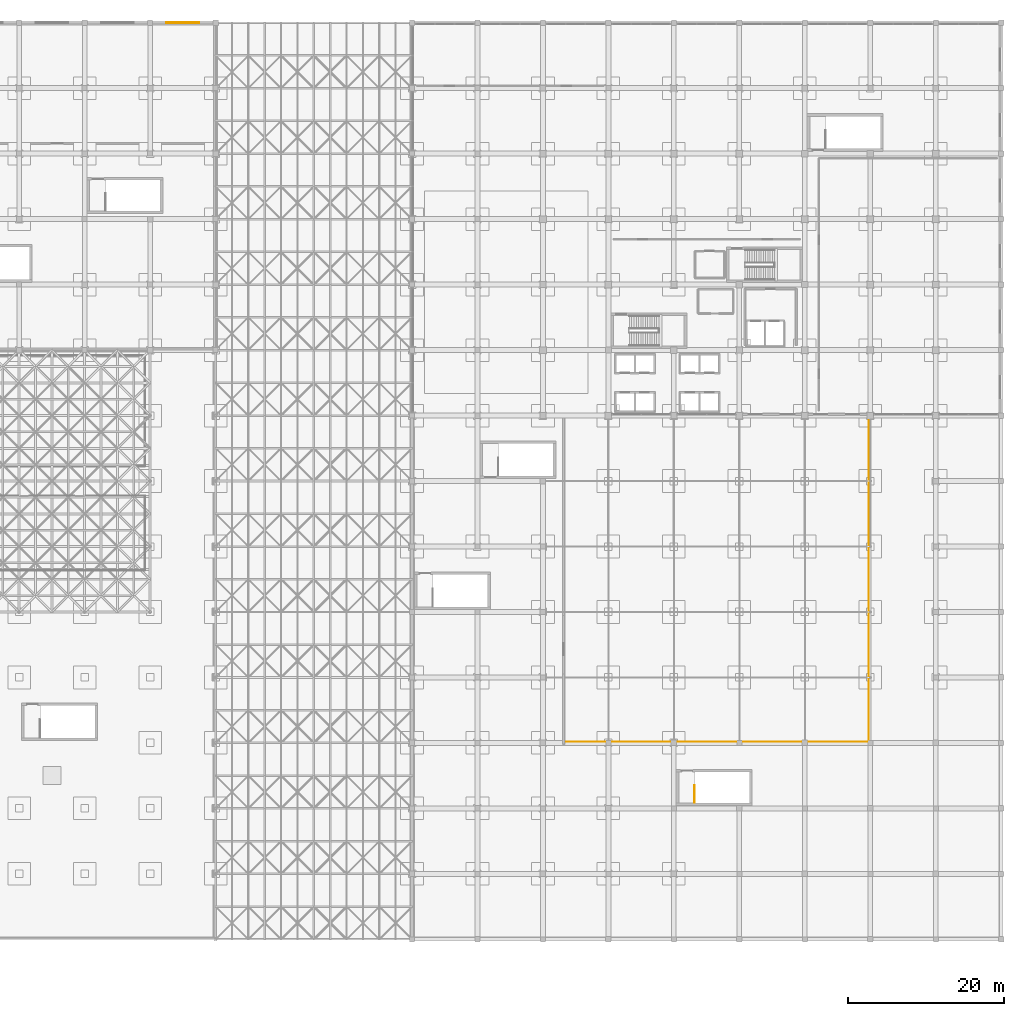
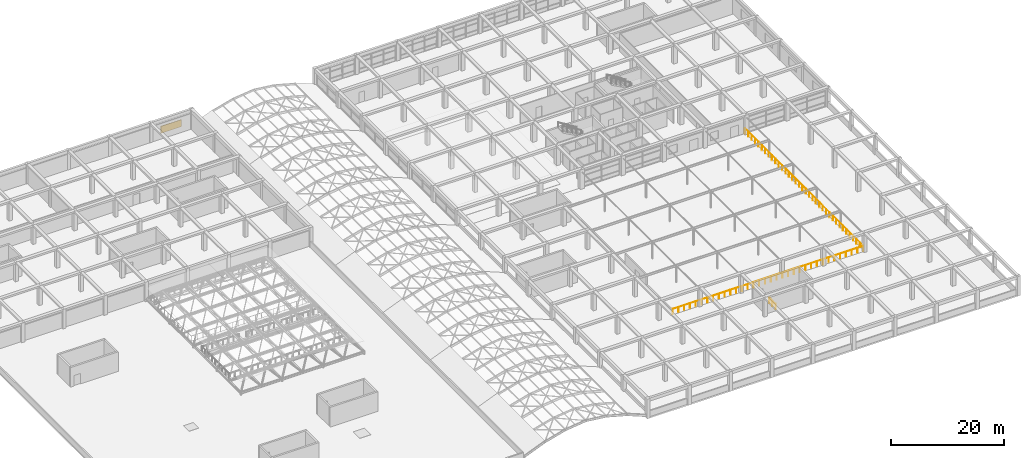
# One storey, part 84 of 85: 2 railings, 1 shading device.
"""IFC4 building model written with IfcOpenShell, lengths in metres."""

import ifcopenshell
import ifcopenshell.guid

model = None  # the IFC model being written
_history = None  # IfcOwnerHistory: only IFC2X3 demands one
_inside = {}  # id of a spatial element -> (the spatial element, [elements in it])
_under = {}  # id of a project, library or spatial element -> (it, [spatial elements below it])
_declared = {}  # id of a project -> (the project, [libraries it declares])
_typed = {}  # id of a type object -> (the type object, [elements of that type])
_made_of = {}  # id of a material, layer set ... -> (it, [elements and type objects made of it])


def new_model(schema):
    """Start an empty IFC model of exactly this schema.

    Asked for "IFC4X3", IfcOpenShell would pick the latest addendum, in which some entities
    have other attributes; the version numbers below select the first issue.
    IFC2X3 requires an IfcOwnerHistory on every rooted entity: one is made here for all.
    """
    global model, _history
    if schema == "IFC4X3":
        model = ifcopenshell.file(schema_version=(4, 3, 0, 0))
    else:
        model = ifcopenshell.file(schema=schema)
    _inside.clear()
    _under.clear()
    _declared.clear()
    _typed.clear()
    _made_of.clear()
    _history = None
    if model.schema == "IFC2X3":
        org = make("IfcOrganization", Name="unknown")
        user = make(
            "IfcPersonAndOrganization",
            ThePerson=make("IfcPerson", FamilyName="unknown"),
            TheOrganization=org,
        )
        app = make(
            "IfcApplication",
            ApplicationDeveloper=org,
            Version="unknown",
            ApplicationFullName="unknown",
            ApplicationIdentifier="unknown",
        )
        _history = make(
            "IfcOwnerHistory",
            OwningUser=user,
            OwningApplication=app,
            ChangeAction="ADDED",
            CreationDate=0,
        )
    return model


def make(cls, **values):
    """One entity of the class cls with the attributes given. An attribute that is None is left unset."""
    return model.create_entity(
        cls, **{name: value for name, value in values.items() if value is not None}
    )


def rooted(cls, **values):
    """An entity with a GlobalId (a new one), such as an element, a storey or a relation."""
    return make(cls, GlobalId=ifcopenshell.guid.new(), OwnerHistory=_history, **values)


def si_unit(unit_type, name, prefix=None):
    """IfcSIUnit, for example si_unit("LENGTHUNIT", "METRE", prefix="MILLI")."""
    return make("IfcSIUnit", UnitType=unit_type, Prefix=prefix, Name=name)


def assignment(units):
    """IfcUnitAssignment: the units of a project."""
    return None if units is None else make("IfcUnitAssignment", Units=units)


def point(xyz):
    """IfcCartesianPoint."""
    return None if xyz is None else make("IfcCartesianPoint", Coordinates=xyz)


def direction(xyz):
    """IfcDirection."""
    return None if xyz is None else make("IfcDirection", DirectionRatios=xyz)


def frame(location, z_axis=None, x_axis=None):
    """IfcAxis2Placement3D, a coordinate frame: its origin and axes. An axis left out is left unset."""
    return make(
        "IfcAxis2Placement3D",
        Location=point(location),
        Axis=direction(z_axis),
        RefDirection=direction(x_axis),
    )


def frame_2d(location, x_axis=None):
    """IfcAxis2Placement2D, a coordinate frame in the plane: its origin and x axis."""
    return make(
        "IfcAxis2Placement2D", Location=point(location), RefDirection=direction(x_axis)
    )


def origin():
    """The frame at (0, 0, 0) with its axes left unset."""
    return frame((0.0, 0.0, 0.0))


def origin_2d():
    """The frame at (0, 0) in the plane with its x axis left unset."""
    return frame_2d((0.0, 0.0))


def place(relative_to, where):
    """IfcLocalPlacement: puts the frame where relative to a parent placement (None: the world)."""
    return make(
        "IfcLocalPlacement", PlacementRelTo=relative_to, RelativePlacement=where
    )


def context(
    kind, dimensions, precision=None, world=None, true_north=None, identifier=None
):
    """IfcGeometricRepresentationContext, for example the 3D "Model" context."""
    return make(
        "IfcGeometricRepresentationContext",
        ContextIdentifier=identifier,
        ContextType=kind,
        CoordinateSpaceDimension=dimensions,
        Precision=precision,
        WorldCoordinateSystem=world,
        TrueNorth=true_north,
    )


def subcontext(parent, identifier, kind, view, scale=None):
    """IfcGeometricRepresentationSubContext, for example "Body" below "Model"."""
    return make(
        "IfcGeometricRepresentationSubContext",
        ContextIdentifier=identifier,
        ContextType=kind,
        ParentContext=parent,
        TargetScale=scale,
        TargetView=view,
    )


def project(units=None, contexts=None):
    """IfcProject with its units and contexts."""
    return rooted(
        "IfcProject",
        Name="project",
        RepresentationContexts=contexts,
        UnitsInContext=assignment(units),
    )


def spatial(cls, under=None, at=None, **own):
    """A site, building, storey or space (cls), placed at a placement, below another one or the project."""
    s = rooted(cls, ObjectPlacement=at, **own)
    if under is not None:
        _under.setdefault(under.id(), (under, []))[1].append(s)
    return s


def profile(cls, at=None, kind="AREA", **sizes):
    """A parametric profile (cls). Its sizes go by their IFC names, for example OverallWidth=200.0."""
    return make(cls, ProfileType=kind, Position=at, **sizes)


def rectangle(**sizes):
    """IfcRectangleProfileDef."""
    return profile("IfcRectangleProfileDef", **sizes)


def circle(**sizes):
    """IfcCircleProfileDef."""
    return profile("IfcCircleProfileDef", **sizes)


def extrude(swept, where, along, depth):
    """IfcExtrudedAreaSolid: the profile swept, set in the frame where, extruded along a direction by depth."""
    return make(
        "IfcExtrudedAreaSolid",
        SweptArea=swept,
        Position=where,
        ExtrudedDirection=direction(along),
        Depth=depth,
    )


def shape(context_of_items, identifier, shape_type, items):
    """IfcShapeRepresentation: the items that make up one representation, for example the "Body"."""
    return make(
        "IfcShapeRepresentation",
        ContextOfItems=context_of_items,
        RepresentationIdentifier=identifier,
        RepresentationType=shape_type,
        Items=items,
    )


def material(Name=None, Category=None):
    """IfcMaterial."""
    return make("IfcMaterial", Name=Name, Category=Category)


def layer(
    of_material, thickness, ventilated=None, Name=None, Category=None, Priority=None
):
    """IfcMaterialLayer: one layer of a wall or slab, of a material (None: an air gap)."""
    return make(
        "IfcMaterialLayer",
        Material=of_material,
        LayerThickness=thickness,
        IsVentilated=ventilated,
        Name=Name,
        Category=Category,
        Priority=Priority,
    )


def layer_set(layers, Name=None):
    """IfcMaterialLayerSet."""
    return make("IfcMaterialLayerSet", MaterialLayers=layers, LayerSetName=Name)


def made_of(thing, what):
    """Note that an element or type object is made of a material, layer set ...; save() writes the relation."""
    if what is not None:
        _made_of.setdefault(what.id(), (what, []))[1].append(thing)
    return thing


def type_object(cls, material=None, **own):
    """A type object (cls), such as IfcWallType, which elements share."""
    return made_of(rooted(cls, **own), material)


def element(
    cls,
    number,
    at=None,
    inside=None,
    cuts=None,
    type_object=None,
    material=None,
    context=None,
    identifier="Body",
    shape_type=None,
    held_by="IfcProductDefinitionShape",
    body=None,
    shapes=None,
    **own,
):
    """One element of the class cls, such as IfcWall. Its Tag is "e" and its number.

    at: its placement. inside: the storey or other place that contains it. cuts: it is an
    opening in that element (IfcRelVoidsElement). A single representation is given by context,
    identifier, shape_type and body (its items); several are given by shapes. held_by: the class
    of the entity that holds the representations. save() writes the other relations.
    """
    e = rooted(cls, Tag="e%d" % number, ObjectPlacement=at, **own)
    if body is not None:
        shapes = [shape(context, identifier, shape_type, body)]
    if shapes is not None:
        e.Representation = make(held_by, Representations=shapes)
    if inside is not None:
        _inside.setdefault(inside.id(), (inside, []))[1].append(e)
    if cuts is not None:
        rooted(
            "IfcRelVoidsElement", RelatingBuildingElement=cuts, RelatedOpeningElement=e
        )
    if type_object is not None:
        _typed.setdefault(type_object.id(), (type_object, []))[1].append(e)
    return made_of(e, material)


def aggregate(whole, parts):
    """IfcRelAggregates: a whole, such as a stair, and the parts it consists of."""
    return rooted("IfcRelAggregates", RelatingObject=whole, RelatedObjects=parts)


def save(model, path):
    """Write the relations noted so far, then the file.

    IfcRelAggregates (storeys below a building ...), IfcRelContainedInSpatialStructure (elements
    in a storey), IfcRelDefinesByType, IfcRelAssociatesMaterial and IfcRelDeclares: one each for
    every whole, place, type object, material and project.
    """
    for whole, parts in _under.values():
        aggregate(whole, parts)
    for where, things in _inside.values():
        rooted(
            "IfcRelContainedInSpatialStructure",
            RelatedElements=things,
            RelatingStructure=where,
        )
    for kind, things in _typed.values():
        rooted("IfcRelDefinesByType", RelatedObjects=things, RelatingType=kind)
    for what, things in _made_of.values():
        rooted("IfcRelAssociatesMaterial", RelatedObjects=things, RelatingMaterial=what)
    for by, libraries in _declared.values():
        rooted("IfcRelDeclares", RelatingContext=by, RelatedDefinitions=libraries)
    model.write(path)


model = new_model("IFC4")

# Units and contexts
model_context = context("Model", 3, precision=1e-05, world=origin(), true_north=direction((0.0, 1.0)))
body_context = subcontext(model_context, "Body", "Model", "MODEL_VIEW")
ifc_project = project(units=[si_unit("LENGTHUNIT", "METRE"), si_unit("AREAUNIT", "SQUARE_METRE"), si_unit("VOLUMEUNIT", "CUBIC_METRE"), si_unit("PLANEANGLEUNIT", "RADIAN"), si_unit("MASSUNIT", "GRAM", prefix="KILO")], contexts=[model_context])

# Site, building, storey
site_placement = place(None, origin())
site = spatial("IfcSite", under=ifc_project, at=site_placement, CompositionType="ELEMENT")
building_placement = place(site_placement, origin())
building = spatial("IfcBuilding", under=site, at=building_placement, Name="Almacenes y Pasaje Nevantli", CompositionType="ELEMENT")
storey_placement = place(building_placement, frame((0.0, 0.0, 22.199951171875)))
storey = spatial("IfcBuildingStorey", under=building, at=storey_placement, Name="L05", CompositionType="ELEMENT", Elevation=22.199951171875)

# Railings
ifc_material_1 = material(Name="Brushed Stainless Steel and Tempered Safety Glass", Category="steel")
railing_type_1 = type_object("IfcRailingType", Name="RL-GUARD-1100", PredefinedType="BALUSTRADE", material=ifc_material_1)
railing_1_placement = place(storey_placement, frame((128.659912109375, 17.5400390625, 0.0)))
element("IfcRailing", 1, at=railing_1_placement, inside=storey, type_object=railing_type_1, Name="L05 Stair ST-06 Top Floor Well Guard", PredefinedType="BALUSTRADE", context=body_context, shape_type="SweptSolid", body=[
    extrude(circle(Radius=0.02392578125, at=origin_2d()), frame((0.0, 0.030029296875, 1.1259765625), z_axis=(0.0, 1.0, 0.0), x_axis=(-1.0, 0.0, 0.0)), (0.0, 0.0, 1.0), 2.139892578125),
    extrude(circle(Radius=0.02099609375, at=origin_2d()), origin(), (0.0, 0.0, 1.0), 1.096923828125),
    extrude(circle(Radius=0.02099609375, at=origin_2d()), frame((0.0, 1.10009765625, 0.0)), (0.0, 0.0, 1.0), 1.096923828125),
    extrude(circle(Radius=0.02099609375, at=origin_2d()), frame((0.0, 2.199951171875, 0.0)), (0.0, 0.0, 1.0), 1.096923828125),
])
ifc_material_2 = material(Name="Tempered Safety Glass and Stainless Steel", Category="steel")
railing_type_2 = type_object("IfcRailingType", Name="RL-TERRACE-1100", PredefinedType="BALUSTRADE", material=ifc_material_2)
railing_2_placement = place(storey_placement, frame((151.050048828125, 67.14990234375, 0.0)))
element("IfcRailing", 2, at=railing_2_placement, inside=storey, type_object=railing_type_2, Name="L05 Ziggurat Roof Terrace Perimeter Guard Balustrade", PredefinedType="BALUSTRADE", context=body_context, shape_type="SweptSolid", body=[
    extrude(circle(Radius=0.02392578125, at=origin_2d()), frame((0.0, -0.030029296875, 1.1259765625), z_axis=(0.0, -1.0, 0.0), x_axis=(1.0, 0.0, 0.0)), (0.0, 0.0, 1.0), 41.73974609375),
    extrude(circle(Radius=0.02392578125, at=origin_2d()), frame((-0.030029296875, -41.7998046875, 1.1259765625), z_axis=(-1.0, 0.0, 0.0), x_axis=(0.0, -1.0, 0.0)), (0.0, 0.0, 1.0), 38.840087890625),
    extrude(circle(Radius=0.02099609375, at=origin_2d()), origin(), (0.0, 0.0, 1.0), 1.096923828125),
    extrude(circle(Radius=0.02099609375, at=origin_2d()), frame((0.0, -1.1943359375, 0.0)), (0.0, 0.0, 1.0), 1.096923828125),
    extrude(circle(Radius=0.02099609375, at=origin_2d()), frame((0.0, -2.388671875, 0.0)), (0.0, 0.0, 1.0), 1.096923828125),
    extrude(circle(Radius=0.02099609375, at=origin_2d()), frame((0.0, -3.582763671875, 0.0)), (0.0, 0.0, 1.0), 1.096923828125),
    extrude(circle(Radius=0.02099609375, at=origin_2d()), frame((0.0, -4.777099609375, 0.0)), (0.0, 0.0, 1.0), 1.096923828125),
    extrude(circle(Radius=0.02099609375, at=origin_2d()), frame((0.0, -5.971435546875, 0.0)), (0.0, 0.0, 1.0), 1.096923828125),
    extrude(circle(Radius=0.02099609375, at=origin_2d()), frame((0.0, -7.165771484375, 0.0)), (0.0, 0.0, 1.0), 1.096923828125),
    extrude(circle(Radius=0.02099609375, at=origin_2d()), frame((0.0, -8.35986328125, 0.0)), (0.0, 0.0, 1.0), 1.096923828125),
    extrude(circle(Radius=0.02099609375, at=origin_2d()), frame((0.0, -9.55419921875, 0.0)), (0.0, 0.0, 1.0), 1.096923828125),
    extrude(circle(Radius=0.02099609375, at=origin_2d()), frame((0.0, -10.74853515625, 0.0)), (0.0, 0.0, 1.0), 1.096923828125),
    extrude(circle(Radius=0.02099609375, at=origin_2d()), frame((0.0, -11.94287109375, 0.0)), (0.0, 0.0, 1.0), 1.096923828125),
    extrude(circle(Radius=0.02099609375, at=origin_2d()), frame((0.0, -13.136962890625, 0.0)), (0.0, 0.0, 1.0), 1.096923828125),
    extrude(circle(Radius=0.02099609375, at=origin_2d()), frame((0.0, -14.331298828125, 0.0)), (0.0, 0.0, 1.0), 1.096923828125),
    extrude(circle(Radius=0.02099609375, at=origin_2d()), frame((0.0, -15.525634765625, 0.0)), (0.0, 0.0, 1.0), 1.096923828125),
    extrude(circle(Radius=0.02099609375, at=origin_2d()), frame((0.0, -16.719970703125, 0.0)), (0.0, 0.0, 1.0), 1.096923828125),
    extrude(circle(Radius=0.02099609375, at=origin_2d()), frame((0.0, -17.914306640625, 0.0)), (0.0, 0.0, 1.0), 1.096923828125),
    extrude(circle(Radius=0.02099609375, at=origin_2d()), frame((0.0, -19.1083984375, 0.0)), (0.0, 0.0, 1.0), 1.096923828125),
    extrude(circle(Radius=0.02099609375, at=origin_2d()), frame((0.0, -20.302734375, 0.0)), (0.0, 0.0, 1.0), 1.096923828125),
    extrude(circle(Radius=0.02099609375, at=origin_2d()), frame((0.0, -21.4970703125, 0.0)), (0.0, 0.0, 1.0), 1.096923828125),
    extrude(circle(Radius=0.02099609375, at=origin_2d()), frame((0.0, -22.69140625, 0.0)), (0.0, 0.0, 1.0), 1.096923828125),
    extrude(circle(Radius=0.02099609375, at=origin_2d()), frame((0.0, -23.885498046875, 0.0)), (0.0, 0.0, 1.0), 1.096923828125),
    extrude(circle(Radius=0.02099609375, at=origin_2d()), frame((0.0, -25.079833984375, 0.0)), (0.0, 0.0, 1.0), 1.096923828125),
    extrude(circle(Radius=0.02099609375, at=origin_2d()), frame((0.0, -26.274169921875, 0.0)), (0.0, 0.0, 1.0), 1.096923828125),
    extrude(circle(Radius=0.02099609375, at=origin_2d()), frame((0.0, -27.468505859375, 0.0)), (0.0, 0.0, 1.0), 1.096923828125),
    extrude(circle(Radius=0.02099609375, at=origin_2d()), frame((0.0, -28.662841796875, 0.0)), (0.0, 0.0, 1.0), 1.096923828125),
    extrude(circle(Radius=0.02099609375, at=origin_2d()), frame((0.0, -29.85693359375, 0.0)), (0.0, 0.0, 1.0), 1.096923828125),
    extrude(circle(Radius=0.02099609375, at=origin_2d()), frame((0.0, -31.05126953125, 0.0)), (0.0, 0.0, 1.0), 1.096923828125),
    extrude(circle(Radius=0.02099609375, at=origin_2d()), frame((0.0, -32.24560546875, 0.0)), (0.0, 0.0, 1.0), 1.096923828125),
    extrude(circle(Radius=0.02099609375, at=origin_2d()), frame((0.0, -33.43994140625, 0.0)), (0.0, 0.0, 1.0), 1.096923828125),
    extrude(circle(Radius=0.02099609375, at=origin_2d()), frame((0.0, -34.634033203125, 0.0)), (0.0, 0.0, 1.0), 1.096923828125),
    extrude(circle(Radius=0.02099609375, at=origin_2d()), frame((0.0, -35.828369140625, 0.0)), (0.0, 0.0, 1.0), 1.096923828125),
    extrude(circle(Radius=0.02099609375, at=origin_2d()), frame((0.0, -37.022705078125, 0.0)), (0.0, 0.0, 1.0), 1.096923828125),
    extrude(circle(Radius=0.02099609375, at=origin_2d()), frame((0.0, -38.217041015625, 0.0)), (0.0, 0.0, 1.0), 1.096923828125),
    extrude(circle(Radius=0.02099609375, at=origin_2d()), frame((0.0, -39.4111328125, 0.0)), (0.0, 0.0, 1.0), 1.096923828125),
    extrude(circle(Radius=0.02099609375, at=origin_2d()), frame((0.0, -40.60546875, 0.0)), (0.0, 0.0, 1.0), 1.096923828125),
    extrude(circle(Radius=0.02099609375, at=origin_2d()), frame((0.0, -41.7998046875, 0.0)), (0.0, 0.0, 1.0), 1.096923828125),
    extrude(circle(Radius=0.02099609375, at=origin_2d()), frame((-1.1787109375, -41.7998046875, 0.0)), (0.0, 0.0, 1.0), 1.096923828125),
    extrude(circle(Radius=0.02099609375, at=origin_2d()), frame((-2.357666015625, -41.7998046875, 0.0)), (0.0, 0.0, 1.0), 1.096923828125),
    extrude(circle(Radius=0.02099609375, at=origin_2d()), frame((-3.536376953125, -41.7998046875, 0.0)), (0.0, 0.0, 1.0), 1.096923828125),
    extrude(circle(Radius=0.02099609375, at=origin_2d()), frame((-4.715087890625, -41.7998046875, 0.0)), (0.0, 0.0, 1.0), 1.096923828125),
    extrude(circle(Radius=0.02099609375, at=origin_2d()), frame((-5.89404296875, -41.7998046875, 0.0)), (0.0, 0.0, 1.0), 1.096923828125),
    extrude(circle(Radius=0.02099609375, at=origin_2d()), frame((-7.07275390625, -41.7998046875, 0.0)), (0.0, 0.0, 1.0), 1.096923828125),
    extrude(circle(Radius=0.02099609375, at=origin_2d()), frame((-8.25146484375, -41.7998046875, 0.0)), (0.0, 0.0, 1.0), 1.096923828125),
    extrude(circle(Radius=0.02099609375, at=origin_2d()), frame((-9.430419921875, -41.7998046875, 0.0)), (0.0, 0.0, 1.0), 1.096923828125),
    extrude(circle(Radius=0.02099609375, at=origin_2d()), frame((-10.609130859375, -41.7998046875, 0.0)), (0.0, 0.0, 1.0), 1.096923828125),
    extrude(circle(Radius=0.02099609375, at=origin_2d()), frame((-11.787841796875, -41.7998046875, 0.0)), (0.0, 0.0, 1.0), 1.096923828125),
    extrude(circle(Radius=0.02099609375, at=origin_2d()), frame((-12.966796875, -41.7998046875, 0.0)), (0.0, 0.0, 1.0), 1.096923828125),
    extrude(circle(Radius=0.02099609375, at=origin_2d()), frame((-14.1455078125, -41.7998046875, 0.0)), (0.0, 0.0, 1.0), 1.096923828125),
    extrude(circle(Radius=0.02099609375, at=origin_2d()), frame((-15.32421875, -41.7998046875, 0.0)), (0.0, 0.0, 1.0), 1.096923828125),
    extrude(circle(Radius=0.02099609375, at=origin_2d()), frame((-16.503173828125, -41.7998046875, 0.0)), (0.0, 0.0, 1.0), 1.096923828125),
    extrude(circle(Radius=0.02099609375, at=origin_2d()), frame((-17.681884765625, -41.7998046875, 0.0)), (0.0, 0.0, 1.0), 1.096923828125),
    extrude(circle(Radius=0.02099609375, at=origin_2d()), frame((-18.860595703125, -41.7998046875, 0.0)), (0.0, 0.0, 1.0), 1.096923828125),
    extrude(circle(Radius=0.02099609375, at=origin_2d()), frame((-20.03955078125, -41.7998046875, 0.0)), (0.0, 0.0, 1.0), 1.096923828125),
    extrude(circle(Radius=0.02099609375, at=origin_2d()), frame((-21.21826171875, -41.7998046875, 0.0)), (0.0, 0.0, 1.0), 1.096923828125),
    extrude(circle(Radius=0.02099609375, at=origin_2d()), frame((-22.39697265625, -41.7998046875, 0.0)), (0.0, 0.0, 1.0), 1.096923828125),
    extrude(circle(Radius=0.02099609375, at=origin_2d()), frame((-23.575927734375, -41.7998046875, 0.0)), (0.0, 0.0, 1.0), 1.096923828125),
    extrude(circle(Radius=0.02099609375, at=origin_2d()), frame((-24.754638671875, -41.7998046875, 0.0)), (0.0, 0.0, 1.0), 1.096923828125),
    extrude(circle(Radius=0.02099609375, at=origin_2d()), frame((-25.933349609375, -41.7998046875, 0.0)), (0.0, 0.0, 1.0), 1.096923828125),
    extrude(circle(Radius=0.02099609375, at=origin_2d()), frame((-27.1123046875, -41.7998046875, 0.0)), (0.0, 0.0, 1.0), 1.096923828125),
    extrude(circle(Radius=0.02099609375, at=origin_2d()), frame((-28.291015625, -41.7998046875, 0.0)), (0.0, 0.0, 1.0), 1.096923828125),
    extrude(circle(Radius=0.02099609375, at=origin_2d()), frame((-29.4697265625, -41.7998046875, 0.0)), (0.0, 0.0, 1.0), 1.096923828125),
    extrude(circle(Radius=0.02099609375, at=origin_2d()), frame((-30.648681640625, -41.7998046875, 0.0)), (0.0, 0.0, 1.0), 1.096923828125),
    extrude(circle(Radius=0.02099609375, at=origin_2d()), frame((-31.827392578125, -41.7998046875, 0.0)), (0.0, 0.0, 1.0), 1.096923828125),
    extrude(circle(Radius=0.02099609375, at=origin_2d()), frame((-33.006103515625, -41.7998046875, 0.0)), (0.0, 0.0, 1.0), 1.096923828125),
    extrude(circle(Radius=0.02099609375, at=origin_2d()), frame((-34.18505859375, -41.7998046875, 0.0)), (0.0, 0.0, 1.0), 1.096923828125),
    extrude(circle(Radius=0.02099609375, at=origin_2d()), frame((-35.36376953125, -41.7998046875, 0.0)), (0.0, 0.0, 1.0), 1.096923828125),
    extrude(circle(Radius=0.02099609375, at=origin_2d()), frame((-36.54248046875, -41.7998046875, 0.0)), (0.0, 0.0, 1.0), 1.096923828125),
    extrude(circle(Radius=0.02099609375, at=origin_2d()), frame((-37.721435546875, -41.7998046875, 0.0)), (0.0, 0.0, 1.0), 1.096923828125),
    extrude(circle(Radius=0.02099609375, at=origin_2d()), frame((-38.900146484375, -41.7998046875, 0.0)), (0.0, 0.0, 1.0), 1.096923828125),
])

# Shading device
ifc_material_3 = material(Name="Powder-Coated Acoustic Aluminium Louver", Category="aluminium")
ifc_layer = layer(ifc_material_3, 0.1201171875)
ifc_layer_set = layer_set([ifc_layer], Name="Powder-Coated Acoustic Aluminium Louver")
shading_device_type = type_object("IfcShadingDeviceType", Name="SHD-LOUVER-ALU", PredefinedType="JALOUSIE", material=ifc_layer_set)
shading_device_placement = place(storey_placement, frame((63.0, 117.6201171875, 1.050048828125), z_axis=(0.0, 0.0, 1.0), x_axis=(1.0, 0.0, 0.0)))
element("IfcShadingDevice", 3, at=shading_device_placement, inside=storey, type_object=shading_device_type, Name="L05 Mechanical Plant Acoustic Louver #8", PredefinedType="JALOUSIE", context=body_context, shape_type="SweptSolid", body=[
    extrude(rectangle(XDim=4.199951171875, YDim=0.1201171875, at=origin_2d()), origin(), (0.0, 0.0, 1.0), 1.5),
])

save(model, "model.ifc")
